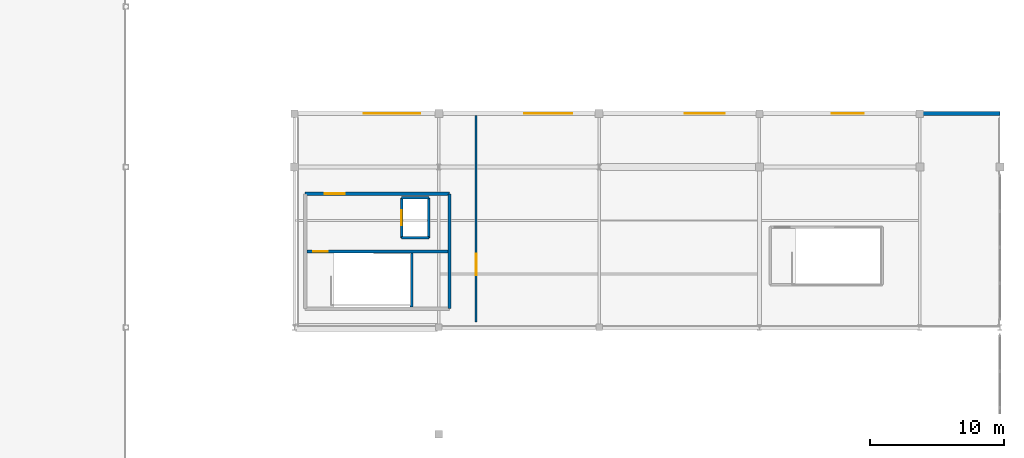
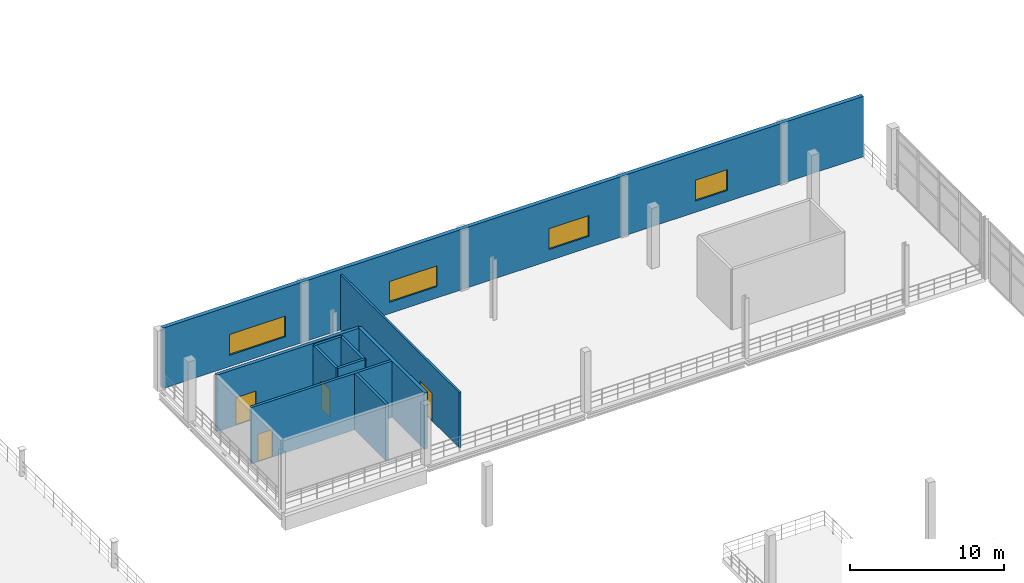
# One storey, part 36 of 52: 10 walls, 4 doors, 4 windows, 8 openings.
"""IFC4 building model written with IfcOpenShell, lengths in metres."""

from ifc_helpers import new_model, si_unit, direction, frame, frame_2d, origin, place, context, subcontext, project, spatial, rectangle, extrude, material, layer, layer_set, type_object, element, fill, save


model = new_model("IFC4")

# Units and contexts
model_context = context("Model", 3, precision=1e-05, world=origin(), true_north=direction((0.0, 1.0)))
body_context = subcontext(model_context, "Body", "Model", "MODEL_VIEW")
ifc_project = project(units=[si_unit("LENGTHUNIT", "METRE"), si_unit("AREAUNIT", "SQUARE_METRE"), si_unit("VOLUMEUNIT", "CUBIC_METRE"), si_unit("PLANEANGLEUNIT", "RADIAN"), si_unit("MASSUNIT", "GRAM", prefix="KILO"), si_unit("THERMODYNAMICTEMPERATUREUNIT", "KELVIN"), si_unit("POWERUNIT", "WATT")], contexts=[model_context])

# Site, building, storey
site_placement = place(None, origin())
site = spatial("IfcSite", under=ifc_project, at=site_placement, CompositionType="ELEMENT")
building_placement = place(site_placement, origin())
building = spatial("IfcBuilding", under=site, at=building_placement, Name="Solmara Park Aquatics Centre", CompositionType="ELEMENT")
storey_placement = place(building_placement, frame((0.0, 0.0, 9.60009765625)))
storey = spatial("IfcBuildingStorey", under=building, at=storey_placement, Name="L02", CompositionType="ELEMENT", Elevation=9.60009765625)

# Wall, opening, door
ifc_material_1 = material(Name="Concrete C40/50", Category="concrete")
ifc_layer_1 = layer(ifc_material_1, 0.25, Name="Concrete C40/50")
ifc_layer_set_1 = layer_set([ifc_layer_1], Name="Concrete C40/50")
wall_type_1 = type_object("IfcWallType", Name="ARC-WL-CORE250", PredefinedType="SHEAR", material=ifc_layer_set_1)
wall_1_placement = place(storey_placement, frame((110.0, 46.60009765625, 0.0), z_axis=(0.0, 0.0, 1.0), x_axis=(1.0, 0.0, 0.0)))
wall_1 = element("IfcWall", 1, at=wall_1_placement, inside=storey, type_object=wall_type_1, Name="CORE-3 Core Wall N L02", PredefinedType="SHEAR", context=body_context, shape_type="SweptSolid", body=[
    extrude(rectangle(XDim=10.800048828125, YDim=0.25, at=frame_2d((5.39990234375, 0.0))), origin(), (0.0, 0.0, 1.0), 4.47998046875),
])
opening_1_placement = place(wall_1_placement, frame((1.449951171875, 0.0, 0.0)))
opening_1 = element("IfcOpeningElement", 2, at=opening_1_placement, cuts=wall_1, Name="Opening D-12", PredefinedType="OPENING", context=body_context, shape_type="SweptSolid", body=[
    extrude(rectangle(XDim=1.5, YDim=2.199951171875, at=frame_2d((0.75, 1.10009765625))), frame((0.0, 0.135009765625, 0.0), z_axis=(0.0, -1.0, 0.0), x_axis=(1.0, 0.0, 0.0)), (0.0, 0.0, 1.0), 0.27001953125),
])
ifc_material_2 = material(Name="Moisture-Resistant HPL & Hardwood", Category="wood")
door_type_1 = type_object("IfcDoorType", Name="ARC-DR-FD150x220", OperationType="DOUBLE_DOOR_SINGLE_SWING", PredefinedType="DOOR", material=ifc_material_2)
door_1_placement = place(opening_1_placement, origin())
door_1 = element("IfcDoor", 3, at=door_1_placement, inside=storey, type_object=door_type_1, Name="CORE-3 Lobby Entry Fire Door L02", OperationType="DOUBLE_DOOR_SINGLE_SWING", OverallHeight=2.199951171875, OverallWidth=1.5, PredefinedType="DOOR", context=body_context, shape_type="SweptSolid", body=[
    extrude(rectangle(XDim=1.5, YDim=2.199951171875, at=frame_2d((0.75, 1.10009765625))), frame((0.0, 0.02490234375, 0.0), z_axis=(0.0, -1.0, 0.0), x_axis=(1.0, 0.0, 0.0)), (0.0, 0.0, 1.0), 0.050048828125),
])
fill(opening_1, door_1)

# Wall
wall_2_placement = place(storey_placement, frame((120.800048828125, 38.0, 0.0), z_axis=(0.0, 0.0, 1.0), x_axis=(0.0, 1.0, 0.0)))
element("IfcWall", 4, at=wall_2_placement, inside=storey, type_object=wall_type_1, Name="CORE-3 Core Wall E L02", PredefinedType="SHEAR", context=body_context, shape_type="SweptSolid", body=[
    extrude(rectangle(XDim=8.60009765625, YDim=0.25, at=frame_2d((4.300048828125, 0.0))), origin(), (0.0, 0.0, 1.0), 4.47998046875),
])

# Wall, openings, windows
ifc_material_3 = material(Name="Insulated Limestone Render Wall", Category="masonry")
ifc_layer_2 = layer(ifc_material_3, 0.300048828125, Name="Insulated Limestone Render Wall")
ifc_layer_set_2 = layer_set([ifc_layer_2], Name="Insulated Limestone Render Wall")
wall_type_2 = type_object("IfcWallType", Name="ARC-WL-EXT300", PredefinedType="SOLIDWALL", material=ifc_layer_set_2)
wall_3_placement = place(storey_placement, frame((109.39990234375, 52.60009765625, 0.0), z_axis=(0.0, 0.0, 1.0), x_axis=(1.0, 0.0, 0.0)))
wall_3 = element("IfcWall", 5, at=wall_3_placement, inside=storey, type_object=wall_type_2, Name="Exterior Facade Wall EW-L02-005", PredefinedType="SOLIDWALL", context=body_context, shape_type="SweptSolid", body=[
    extrude(rectangle(XDim=52.60009765625, YDim=0.300048828125, at=frame_2d((26.300048828125, 0.0))), origin(), (0.0, 0.0, 1.0), 4.7998046875),
])
opening_2_placement = place(wall_3_placement, frame((5.0, 0.0, 0.89990234375)))
opening_2 = element("IfcOpeningElement", 6, at=opening_2_placement, cuts=wall_3, Name="Opening W-21", PredefinedType="OPENING", context=body_context, shape_type="SweptSolid", body=[
    extrude(rectangle(XDim=4.199951171875, YDim=1.64990234375, at=frame_2d((2.10009765625, 0.824951171875))), frame((0.0, 0.159912109375, 0.0), z_axis=(0.0, -1.0, 0.0), x_axis=(1.0, 0.0, 0.0)), (0.0, 0.0, 1.0), 0.320068359375),
])
opening_3_placement = place(wall_3_placement, frame((17.0, 0.0, 0.89990234375)))
opening_3 = element("IfcOpeningElement", 7, at=opening_3_placement, cuts=wall_3, Name="Opening W-22", PredefinedType="OPENING", context=body_context, shape_type="SweptSolid", body=[
    extrude(rectangle(XDim=3.60009765625, YDim=1.64990234375, at=frame_2d((1.800048828125, 0.824951171875))), frame((0.0, 0.159912109375, 0.0), z_axis=(0.0, -1.0, 0.0), x_axis=(1.0, 0.0, 0.0)), (0.0, 0.0, 1.0), 0.320068359375),
])
opening_4_placement = place(wall_3_placement, frame((29.0, 0.0, 0.89990234375)))
opening_4 = element("IfcOpeningElement", 8, at=opening_4_placement, cuts=wall_3, Name="Opening W-23", PredefinedType="OPENING", context=body_context, shape_type="SweptSolid", body=[
    extrude(rectangle(XDim=3.0, YDim=1.64990234375, at=frame_2d((1.5, 0.824951171875))), frame((0.0, 0.159912109375, 0.0), z_axis=(0.0, -1.0, 0.0), x_axis=(1.0, 0.0, 0.0)), (0.0, 0.0, 1.0), 0.320068359375),
])
opening_5_placement = place(wall_3_placement, frame((40.0, 0.0, 0.89990234375)))
opening_5 = element("IfcOpeningElement", 9, at=opening_5_placement, cuts=wall_3, Name="Opening W-24", PredefinedType="OPENING", context=body_context, shape_type="SweptSolid", body=[
    extrude(rectangle(XDim=2.39990234375, YDim=1.64990234375, at=frame_2d((1.199951171875, 0.824951171875))), frame((0.0, 0.159912109375, 0.0), z_axis=(0.0, -1.0, 0.0), x_axis=(1.0, 0.0, 0.0)), (0.0, 0.0, 1.0), 0.320068359375),
])
ifc_material_4 = material(Name="Thermally Broken Aluminium and Low-E Double Glazing", Category="aluminium")
window_type_1 = type_object("IfcWindowType", Name="ARC-WN-240x165", PartitioningType="DOUBLE_PANEL_VERTICAL", PredefinedType="WINDOW", material=ifc_material_4)
window_1_placement = place(opening_5_placement, origin())
window_1 = element("IfcWindow", 10, at=window_1_placement, inside=storey, type_object=window_type_1, Name="Ribbon Window WN-014", OverallHeight=1.64990234375, OverallWidth=2.39990234375, PartitioningType="DOUBLE_PANEL_VERTICAL", PredefinedType="WINDOW", context=body_context, shape_type="SweptSolid", body=[
    extrude(rectangle(XDim=2.39990234375, YDim=1.64990234375, at=frame_2d((1.199951171875, 0.824951171875))), frame((0.0, 0.030029296875, 0.0), z_axis=(0.0, -1.0, 0.0), x_axis=(1.0, 0.0, 0.0)), (0.0, 0.0, 1.0), 0.06005859375),
])
fill(opening_5, window_1)
window_type_2 = type_object("IfcWindowType", Name="ARC-WN-300x165", PartitioningType="DOUBLE_PANEL_HORIZONTAL", PredefinedType="WINDOW", material=ifc_material_4)
window_2_placement = place(opening_4_placement, origin())
window_2 = element("IfcWindow", 11, at=window_2_placement, inside=storey, type_object=window_type_2, Name="Ribbon Window WN-013", OverallHeight=1.64990234375, OverallWidth=3.0, PartitioningType="DOUBLE_PANEL_HORIZONTAL", PredefinedType="WINDOW", context=body_context, shape_type="SweptSolid", body=[
    extrude(rectangle(XDim=3.0, YDim=1.64990234375, at=frame_2d((1.5, 0.824951171875))), frame((0.0, 0.030029296875, 0.0), z_axis=(0.0, -1.0, 0.0), x_axis=(1.0, 0.0, 0.0)), (0.0, 0.0, 1.0), 0.06005859375),
])
fill(opening_4, window_2)
window_type_3 = type_object("IfcWindowType", Name="ARC-WN-360x165", PartitioningType="TRIPLE_PANEL_HORIZONTAL", PredefinedType="WINDOW", material=ifc_material_4)
window_3_placement = place(opening_3_placement, origin())
window_3 = element("IfcWindow", 12, at=window_3_placement, inside=storey, type_object=window_type_3, Name="Ribbon Window WN-012", OverallHeight=1.64990234375, OverallWidth=3.60009765625, PartitioningType="TRIPLE_PANEL_HORIZONTAL", PredefinedType="WINDOW", context=body_context, shape_type="SweptSolid", body=[
    extrude(rectangle(XDim=3.60009765625, YDim=1.64990234375, at=frame_2d((1.800048828125, 0.824951171875))), frame((0.0, 0.030029296875, 0.0), z_axis=(0.0, -1.0, 0.0), x_axis=(1.0, 0.0, 0.0)), (0.0, 0.0, 1.0), 0.06005859375),
])
fill(opening_3, window_3)
window_type_4 = type_object("IfcWindowType", Name="ARC-WN-420x165", PartitioningType="TRIPLE_PANEL_HORIZONTAL", PredefinedType="WINDOW", material=ifc_material_4)
window_4_placement = place(opening_2_placement, origin())
window_4 = element("IfcWindow", 13, at=window_4_placement, inside=storey, type_object=window_type_4, Name="Ribbon Window WN-011", OverallHeight=1.64990234375, OverallWidth=4.199951171875, PartitioningType="TRIPLE_PANEL_HORIZONTAL", PredefinedType="WINDOW", context=body_context, shape_type="SweptSolid", body=[
    extrude(rectangle(XDim=4.199951171875, YDim=1.64990234375, at=frame_2d((2.10009765625, 0.824951171875))), frame((0.0, 0.030029296875, 0.0), z_axis=(0.0, -1.0, 0.0), x_axis=(1.0, 0.0, 0.0)), (0.0, 0.0, 1.0), 0.06005859375),
])
fill(opening_2, window_4)

# Wall, opening, door
ifc_material_5 = material(Name="Concrete C25/30 Autoclaved Aerated Fire Blockwork", Category="masonry")
ifc_layer_3 = layer(ifc_material_5, 0.199951171875, Name="Concrete C25/30 Autoclaved Aerated Fire Blockwork")
ifc_layer_set_3 = layer_set([ifc_layer_3], Name="Concrete C25/30 Autoclaved Aerated Fire Blockwork")
wall_type_3 = type_object("IfcWallType", Name="ARC-WL-FIRE200", PredefinedType="SOLIDWALL", material=ifc_layer_set_3)
wall_4_placement = place(storey_placement, frame((117.219970703125, 43.300048828125, 0.0), z_axis=(0.0, 0.0, 1.0), x_axis=(0.0, 1.0, 0.0)))
wall_4 = element("IfcWall", 14, at=wall_4_placement, inside=storey, type_object=wall_type_3, Name="CORE-3 Lift Shaft Front Wall L02", PredefinedType="SOLIDWALL", context=body_context, shape_type="SweptSolid", body=[
    extrude(rectangle(XDim=3.0, YDim=0.199951171875, at=frame_2d((1.5, 0.0))), origin(), (0.0, 0.0, 1.0), 4.47998046875),
])
opening_6_placement = place(wall_4_placement, frame((0.949951171875, 0.0, 0.0)))
opening_6 = element("IfcOpeningElement", 15, at=opening_6_placement, cuts=wall_4, Name="Opening D-09", PredefinedType="OPENING", context=body_context, shape_type="SweptSolid", body=[
    extrude(rectangle(XDim=1.10009765625, YDim=2.199951171875, at=frame_2d((0.550048828125, 1.10009765625))), frame((0.0, 0.10986328125, 0.0), z_axis=(0.0, -1.0, 0.0), x_axis=(1.0, 0.0, 0.0)), (0.0, 0.0, 1.0), 0.219970703125),
])
ifc_material_6 = material(Name="Stainless Steel", Category="steel")
door_type_2 = type_object("IfcDoorType", Name="ARC-DR-LD110x220", OperationType="DOUBLE_DOOR_SLIDING", PredefinedType="DOOR", material=ifc_material_6)
door_2_placement = place(opening_6_placement, origin())
door_2 = element("IfcDoor", 16, at=door_2_placement, inside=storey, type_object=door_type_2, Name="LF-05 Lift Landing Door L02", OperationType="DOUBLE_DOOR_SLIDING", OverallHeight=2.199951171875, OverallWidth=1.10009765625, PredefinedType="DOOR", context=body_context, shape_type="SweptSolid", body=[
    extrude(rectangle(XDim=1.10009765625, YDim=2.199951171875, at=frame_2d((0.550048828125, 1.10009765625))), frame((0.0, 0.02490234375, 0.0), z_axis=(0.0, -1.0, 0.0), x_axis=(1.0, 0.0, 0.0)), (0.0, 0.0, 1.0), 0.050048828125),
])
fill(opening_6, door_2)

# Walls
wall_5_placement = place(storey_placement, frame((119.25, 43.300048828125, 0.0), z_axis=(0.0, 0.0, 1.0), x_axis=(0.0, 1.0, 0.0)))
element("IfcWall", 17, at=wall_5_placement, inside=storey, type_object=wall_type_3, Name="LF-05 Lift Shaft East Wall L02", PredefinedType="SOLIDWALL", context=body_context, shape_type="SweptSolid", body=[
    extrude(rectangle(XDim=3.0, YDim=0.199951171875, at=frame_2d((1.5, 0.0))), origin(), (0.0, 0.0, 1.0), 4.47998046875),
])
for number, where, z_axis, x_axis, name in (
    (18, (117.219970703125, 43.300048828125, 0.0), (0.0, 0.0, 1.0), (1.0, 0.0, 0.0), "LF-05 Lift Shaft South Wall L02"),
    (19, (117.219970703125, 46.300048828125, 0.0), (0.0, 0.0, 1.0), (1.0, 0.0, 0.0), "LF-05 Lift Shaft North Wall L02"),
):
    element("IfcWall", number, at=place(storey_placement, frame(where, z_axis=z_axis, x_axis=x_axis)), inside=storey, type_object=wall_type_3, Name=name, PredefinedType="SOLIDWALL", context=body_context, shape_type="SweptSolid", body=[
        extrude(rectangle(XDim=2.030029296875, YDim=0.199951171875, at=frame_2d((1.01513671875, 0.0))), origin(), (0.0, 0.0, 1.0), 4.47998046875),
    ])

# Wall, opening, door
ifc_material_7 = material(Name="Cement-Rendered Masonry Partition", Category="masonry")
ifc_layer_4 = layer(ifc_material_7, 0.14990234375, Name="Cement-Rendered Masonry Partition")
ifc_layer_set_4 = layer_set([ifc_layer_4], Name="Cement-Rendered Masonry Partition")
wall_type_4 = type_object("IfcWallType", Name="ARC-WL-MAS150", PredefinedType="PARTITIONING", material=ifc_layer_set_4)
wall_6_placement = place(storey_placement, frame((122.800048828125, 37.0, 0.0), z_axis=(0.0, 0.0, 1.0), x_axis=(0.0, 1.0, 0.0)))
wall_6 = element("IfcWall", 20, at=wall_6_placement, inside=storey, type_object=wall_type_4, Name="Interior Partition IW-L02-0111 (L02-DIV-ACR)", PredefinedType="PARTITIONING", context=body_context, shape_type="SweptSolid", body=[
    extrude(rectangle(XDim=15.449951171875, YDim=0.14990234375, at=frame_2d((7.72509765625, 0.0))), origin(), (0.0, 0.0, 1.0), 4.39990234375),
])
opening_7_placement = place(wall_6_placement, frame((3.5, 0.0, 0.0)))
opening_7 = element("IfcOpeningElement", 21, at=opening_7_placement, cuts=wall_6, Name="Opening D-19", PredefinedType="OPENING", context=body_context, shape_type="SweptSolid", body=[
    extrude(rectangle(XDim=1.60009765625, YDim=2.199951171875, at=frame_2d((0.800048828125, 1.10009765625))), frame((0.0, 0.0849609375, 0.0), z_axis=(0.0, -1.0, 0.0), x_axis=(1.0, 0.0, 0.0)), (0.0, 0.0, 1.0), 0.169921875),
])
door_type_3 = type_object("IfcDoorType", Name="ARC-DR-DBL160x220", OperationType="DOUBLE_DOOR_SINGLE_SWING", PredefinedType="DOOR", material=ifc_material_2)
door_3_placement = place(opening_7_placement, origin())
door_3 = element("IfcDoor", 22, at=door_3_placement, inside=storey, type_object=door_type_3, Name="High-Diving Acrobatics and Video Replay Analysis Hall Door", OperationType="DOUBLE_DOOR_SINGLE_SWING", OverallHeight=2.199951171875, OverallWidth=1.60009765625, PredefinedType="DOOR", context=body_context, shape_type="SweptSolid", body=[
    extrude(rectangle(XDim=1.60009765625, YDim=2.199951171875, at=frame_2d((0.800048828125, 1.10009765625))), frame((0.0, 0.02490234375, 0.0), z_axis=(0.0, -1.0, 0.0), x_axis=(1.0, 0.0, 0.0)), (0.0, 0.0, 1.0), 0.050048828125),
])
fill(opening_7, door_3)

ifc_material_8 = material(Name="Concrete C35/45", Category="concrete")
ifc_layer_5 = layer(ifc_material_8, 0.199951171875, Name="Concrete C35/45")
ifc_layer_set_5 = layer_set([ifc_layer_5], Name="Concrete C35/45")
wall_type_5 = type_object("IfcWallType", Name="STR-WL-STAIR200", PredefinedType="SHEAR", material=ifc_layer_set_5)
wall_7_placement = place(storey_placement, frame((110.1201171875, 42.27490234375, 0.0), z_axis=(0.0, 0.0, 1.0), x_axis=(1.0, 0.0, 0.0)))
wall_7 = element("IfcWall", 23, at=wall_7_placement, inside=storey, type_object=wall_type_5, Name="CORE-3 Stairwell Compartment Wall L02", PredefinedType="SHEAR", context=body_context, shape_type="SweptSolid", body=[
    extrude(rectangle(XDim=10.559814453125, YDim=0.199951171875, at=frame_2d((5.27978515625, 0.0))), origin(), (0.0, 0.0, 1.0), 4.47998046875),
])
opening_8_placement = place(wall_7_placement, frame((0.47998046875, 0.0, 0.0)))
opening_8 = element("IfcOpeningElement", 24, at=opening_8_placement, cuts=wall_7, Name="Opening D-11", PredefinedType="OPENING", context=body_context, shape_type="SweptSolid", body=[
    extrude(rectangle(XDim=1.10009765625, YDim=2.199951171875, at=frame_2d((0.550048828125, 1.10009765625))), frame((0.0, 0.10986328125, 0.0), z_axis=(0.0, -1.0, 0.0), x_axis=(1.0, 0.0, 0.0)), (0.0, 0.0, 1.0), 0.219970703125),
])
door_type_4 = type_object("IfcDoorType", Name="ARC-DR-FD110x220", OperationType="NOTDEFINED", PredefinedType="DOOR", material=ifc_material_2)
door_4_placement = place(opening_8_placement, origin())
door_4 = element("IfcDoor", 25, at=door_4_placement, inside=storey, type_object=door_type_4, Name="ST-03 Fire Door L02", OperationType="SINGLE_SWING_RIGHT", OverallHeight=2.199951171875, OverallWidth=1.10009765625, PredefinedType="DOOR", context=body_context, shape_type="SweptSolid", body=[
    extrude(rectangle(XDim=1.10009765625, YDim=2.199951171875, at=frame_2d((0.550048828125, 1.10009765625))), frame((0.0, 0.02490234375, 0.0), z_axis=(0.0, -1.0, 0.0), x_axis=(1.0, 0.0, 0.0)), (0.0, 0.0, 1.0), 0.050048828125),
])
fill(opening_8, door_4)

# Wall
wall_8_placement = place(storey_placement, frame((117.9599609375, 38.1201171875, 0.0), z_axis=(0.0, 0.0, 1.0), x_axis=(0.0, 1.0, 0.0)))
element("IfcWall", 26, at=wall_8_placement, inside=storey, type_object=wall_type_5, Name="CORE-3 Stairwell East End Wall L02", PredefinedType="SHEAR", context=body_context, shape_type="SweptSolid", body=[
    extrude(rectangle(XDim=4.054931640625, YDim=0.199951171875, at=frame_2d((2.02734375, 0.0))), origin(), (0.0, 0.0, 1.0), 4.47998046875),
])

save(model, "model.ifc")
